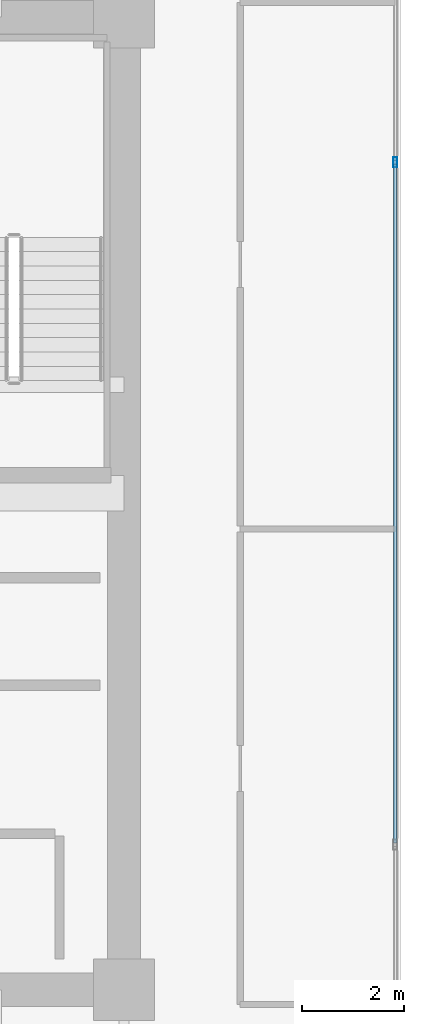
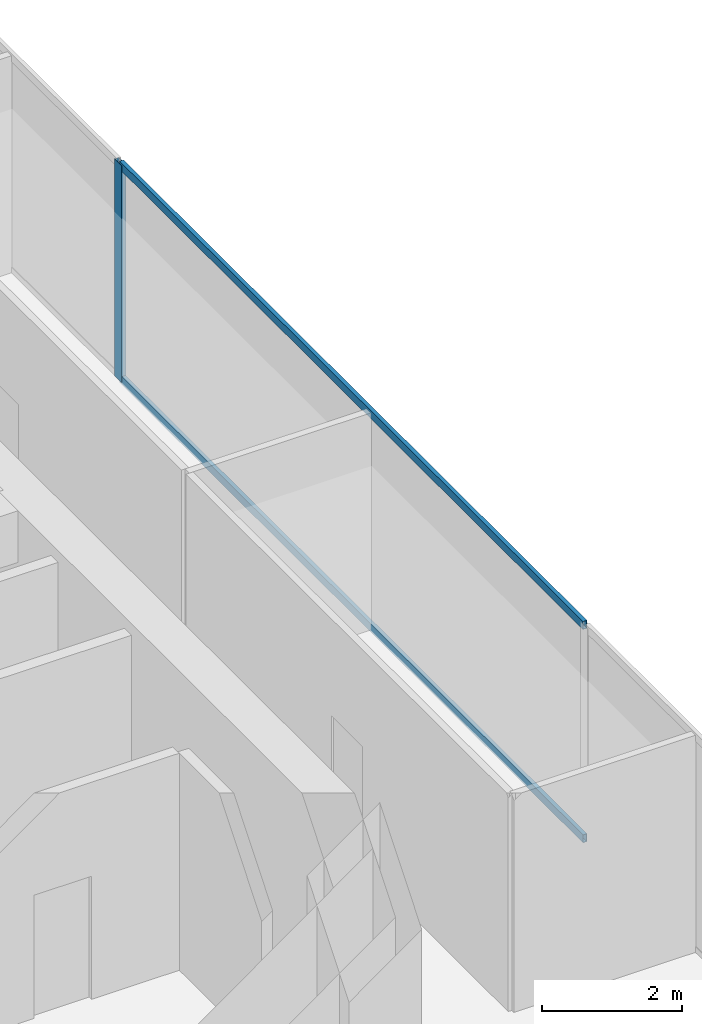
# One storey, part 22 of 33: 3 members, 1 element without a shape of its own.
"""IFC4 building model written with IfcOpenShell, lengths in metres."""

from ifc_helpers import new_model, si_unit, direction, frame, origin, origin_2d, place, context, subcontext, project, spatial, hollow_rectangle, extrude, source, transform, mapped, material, layer, layer_set, material_profile, profile_set, type_object, type_shapes, element, aggregate, save


model = new_model("IFC4")

# Units and contexts
model_context = context("Model", 3, precision=1e-05, world=origin(), true_north=direction((0.0, 1.0)))
body_context = subcontext(model_context, "Body", "Model", "MODEL_VIEW")
ifc_project = project(units=[si_unit("LENGTHUNIT", "METRE"), si_unit("AREAUNIT", "SQUARE_METRE"), si_unit("VOLUMEUNIT", "CUBIC_METRE"), si_unit("PLANEANGLEUNIT", "RADIAN"), si_unit("MASSUNIT", "GRAM", prefix="KILO")], contexts=[model_context])

# Site, building, storey
site_placement = place(None, origin())
site = spatial("IfcSite", under=ifc_project, at=site_placement, CompositionType="ELEMENT")
building_placement = place(site_placement, origin())
building = spatial("IfcBuilding", under=site, at=building_placement, Name="Haelvirn Gate Laboratories", CompositionType="ELEMENT")
storey_placement = place(building_placement, frame((0.0, 0.0, 133.800048828125)))
storey = spatial("IfcBuildingStorey", under=building, at=storey_placement, Name="L32", CompositionType="ELEMENT", Elevation=133.800048828125)

# Curtain wall, members
ifc_material_1 = material(Name="Anodised bronze unitised aluminium & triple low-E glass", Category="aluminium")
ifc_layer = layer(ifc_material_1, 0.179931640625, Name="CW-SYS-3")
ifc_layer_set = layer_set([ifc_layer], Name="Anodised bronze unitised aluminium & triple low-E glass")
curtain_wall_type = type_object("IfcCurtainWallType", Name="CW-SYS-3", PredefinedType="NOTDEFINED", material=ifc_layer_set)
curtain_wall_placement = place(storey_placement, origin())
curtain_wall = element("IfcCurtainWall", 1, at=curtain_wall_placement, inside=storey, type_object=curtain_wall_type, Name="L32 Unitised Curtain Wall CW-L32-P0-E07", PredefinedType="NOTDEFINED")
ifc_material_2 = material(Name="Extruded aluminium 6063-T6 (anodised bronze)", Category="aluminium")
ifc_material_profile_1 = material_profile(ifc_material_2, hollow_rectangle(XDim=0.06494140625, YDim=0.139892578125, WallThickness=0.00390625, at=origin_2d()), Name="CWT-140x65x4")
ifc_profile_set_1 = profile_set([ifc_material_profile_1], Name="Extruded aluminium 6063-T6 (anodised bronze)")
member_type_1 = type_object("IfcMemberType", Name="CWT-T140", PredefinedType="USERDEFINED", material=ifc_profile_set_1)
shared_shape_1 = source(origin(), body_context, "Body", "SweptSolid", [
    extrude(hollow_rectangle(XDim=0.06494140625, YDim=0.139892578125, WallThickness=0.00390625, at=origin_2d()), origin(), (0.0, 0.0, 1.0), 13.25830078125),
])
type_shapes(member_type_1, [shared_shape_1])
member_1_placement = place(storey_placement, frame((72.699951171875, 17.6708984375, 0.032470703125), z_axis=(0.0, 1.0, 0.0), x_axis=(-1.0, 0.0, 0.0)))
member_1 = element("IfcMember", 2, at=member_1_placement, type_object=member_type_1, Name="CW3 transom 2.1", ObjectType="TRANSOM", PredefinedType="USERDEFINED", context=body_context, shape_type="MappedRepresentation", body=[
    mapped(shared_shape_1, transform((0.0, 0.0, 0.0), scale=1.0)),
])
member_2_placement = place(storey_placement, frame((72.699951171875, 17.6708984375, 3.757568359375), z_axis=(0.0, 1.0, 0.0), x_axis=(-1.0, 0.0, 0.0)))
member_2 = element("IfcMember", 3, at=member_2_placement, type_object=member_type_1, Name="CW3 transom 2.2", ObjectType="TRANSOM", PredefinedType="USERDEFINED", context=body_context, shape_type="MappedRepresentation", body=[
    mapped(shared_shape_1, transform((0.0, 0.0, 0.0), scale=1.0)),
])
ifc_material_profile_2 = material_profile(ifc_material_2, hollow_rectangle(XDim=0.074951171875, YDim=0.199951171875, WallThickness=0.0048828125, at=origin_2d()), Name="CWM-200x75x5")
ifc_profile_set_2 = profile_set([ifc_material_profile_2], Name="Extruded aluminium 6063-T6 (anodised bronze)")
member_type_2 = type_object("IfcMemberType", Name="CWM-T200", PredefinedType="MULLION", material=ifc_profile_set_2)
shared_shape_2 = source(origin(), body_context, "Body", "SweptSolid", [
    extrude(hollow_rectangle(XDim=0.074951171875, YDim=0.199951171875, WallThickness=0.0048828125, at=origin_2d()), origin(), (0.0, 0.0, 1.0), 3.7900390625),
])
type_shapes(member_type_2, [shared_shape_2])
member_3_placement = place(storey_placement, frame((72.699951171875, 30.966552734375, 0.0), z_axis=(0.0, 0.0, 1.0), x_axis=(-1.0, 0.0, 0.0)))
member_3 = element("IfcMember", 4, at=member_3_placement, type_object=member_type_2, Name="CW3 mullion 3", PredefinedType="MULLION", context=body_context, shape_type="MappedRepresentation", body=[
    mapped(shared_shape_2, transform((0.0, 0.0, 0.0), scale=1.0)),
])
aggregate(curtain_wall, [member_3, member_1, member_2])

save(model, "model.ifc")
